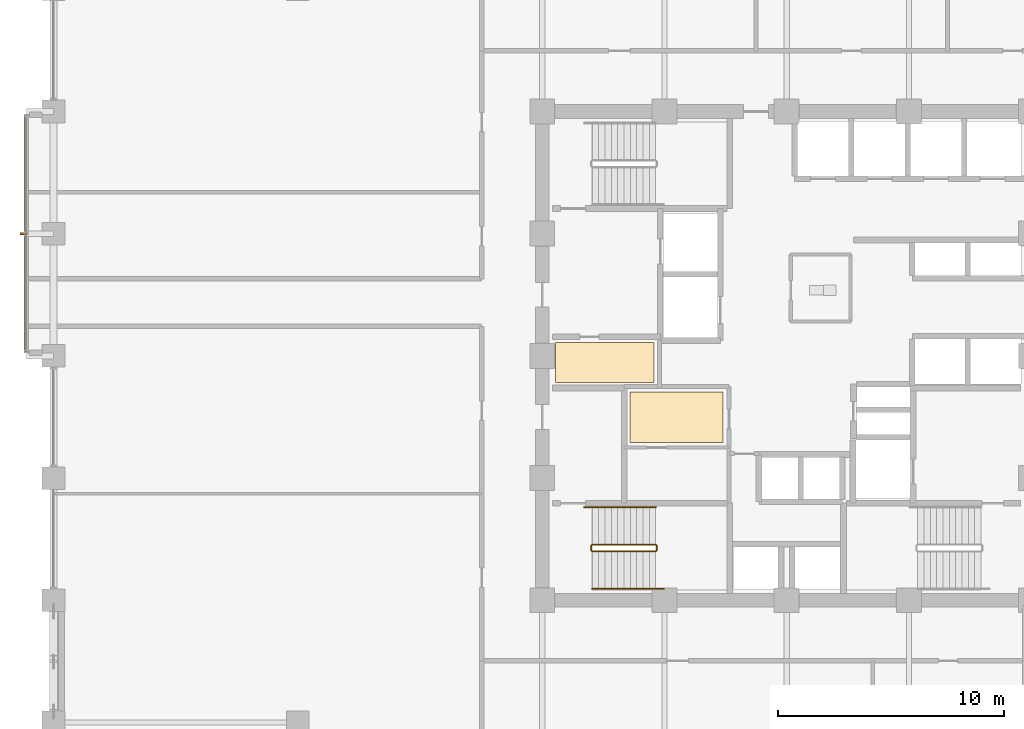
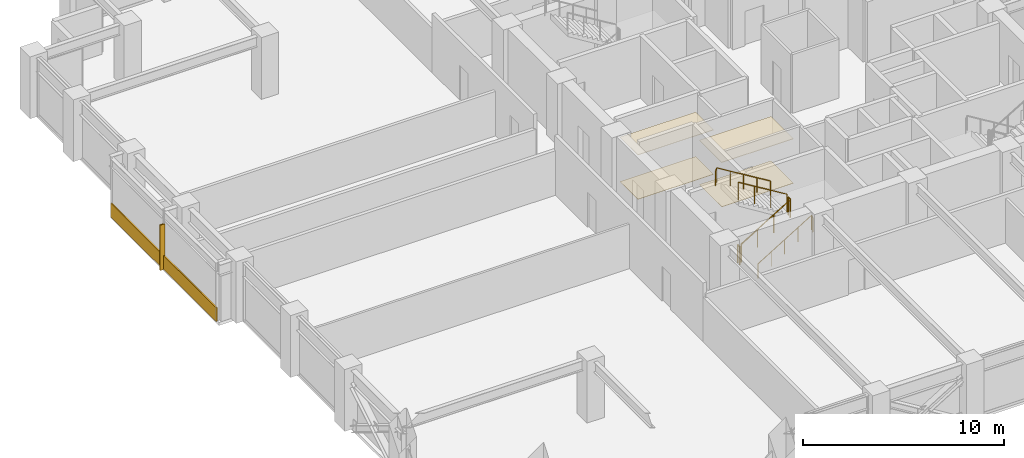
# One storey, part 23 of 26: 6 railings, 5 coverings, 1 shading device.
"""IFC4 building model written with IfcOpenShell, lengths in metres."""

from ifc_helpers import new_model, si_unit, direction, frame, origin, origin_2d, place, context, subcontext, project, spatial, polyline, rectangle, circle, outline, extrude, material, layer, layer_set, type_object, element, save


model = new_model("IFC4")

# Units and contexts
model_context = context("Model", 3, precision=1e-05, world=origin(), true_north=direction((0.0, 1.0)))
body_context = subcontext(model_context, "Body", "Model", "MODEL_VIEW")
ifc_project = project(units=[si_unit("LENGTHUNIT", "METRE"), si_unit("AREAUNIT", "SQUARE_METRE"), si_unit("VOLUMEUNIT", "CUBIC_METRE"), si_unit("PLANEANGLEUNIT", "RADIAN"), si_unit("MASSUNIT", "GRAM", prefix="KILO")], contexts=[model_context])

# Site, building, storey
site_placement = place(None, origin())
site = spatial("IfcSite", under=ifc_project, at=site_placement, CompositionType="ELEMENT")
building_placement = place(site_placement, origin())
building = spatial("IfcBuilding", under=site, at=building_placement, Name="Surkhivell Harbour Commons", CompositionType="ELEMENT")
storey_placement = place(building_placement, frame((0.0, 0.0, 143.25)))
storey = spatial("IfcBuildingStorey", under=building, at=storey_placement, Name="L37", CompositionType="ELEMENT", Elevation=143.25)

# Coverings
ifc_material_1 = material(Name="Perforated acoustic mineral-fibre ceiling tile", Category="other")
ifc_layer_1 = layer(ifc_material_1, 0.02490234375)
ifc_layer_set_1 = layer_set([ifc_layer_1], Name="Perforated acoustic mineral-fibre ceiling tile")
covering_type_1 = type_object("IfcCoveringType", Name="COV-CEIL-AC", PredefinedType="CEILING", material=ifc_layer_set_1)
covering_1_placement = place(storey_placement, frame((0.0, 0.0, 2.694091796875)))
element("IfcCovering", 1, at=covering_1_placement, inside=storey, type_object=covering_type_1, Name="L37 Suspended Acoustic Ceiling 1", PredefinedType="CEILING", context=body_context, shape_type="SweptSolid", body=[
    extrude(outline(polyline([(-10.219970703125, -1.179931640625), (-5.8701171875, -1.179931640625), (-5.8701171875, 0.60009765625), (-10.219970703125, 0.60009765625), (-10.219970703125, 0.580078125), (-10.219970703125, -0.580078125), (-10.219970703125, -1.179931640625)])), origin(), (0.0, 0.0, 1.0), 0.02490234375),
])
ifc_material_2 = material(Name="Moisture-resistant gypsum acoustic ceiling board", Category="other")
ifc_layer_2 = layer(ifc_material_2, 0.030029296875)
ifc_layer_set_2 = layer_set([ifc_layer_2], Name="Moisture-resistant gypsum acoustic ceiling board")
covering_type_2 = type_object("IfcCoveringType", Name="COV-CEIL-GYP", PredefinedType="CEILING", material=ifc_layer_set_2)
covering_2_placement = place(storey_placement, frame((0.0, 0.0, 2.68896484375)))
element("IfcCovering", 2, at=covering_2_placement, inside=storey, type_object=covering_type_2, Name="L37 Suspended Acoustic Ceiling 2", PredefinedType="CEILING", context=body_context, shape_type="SweptSolid", body=[
    extrude(outline(polyline([(-6.929931640625, -3.830078125), (-2.820068359375, -3.830078125), (-2.820068359375, -1.60009765625), (-6.929931640625, -1.60009765625), (-6.929931640625, -3.830078125)])), origin(), (0.0, 0.0, 1.0), 0.030029296875),
])
ifc_material_3 = material(Name="Cobalt-azure enamelled aluminium cassette panel", Category="aluminium")
ifc_layer_3 = layer(ifc_material_3, 0.072021484375)
ifc_layer_set_3 = layer_set([ifc_layer_3], Name="Cobalt-azure enamelled aluminium cassette panel")
covering_type_3 = type_object("IfcCoveringType", Name="COV-CLAD-COB", PredefinedType="CLADDING", material=ifc_layer_set_3)
covering_3_placement = place(storey_placement, frame((-33.639892578125, 5.39990234375, 0.0), z_axis=(0.0, 0.0, 1.0), x_axis=(1.0, 0.0, 0.0)))
element("IfcCovering", 3, at=covering_3_placement, inside=storey, type_object=covering_type_3, Name="L37 Coloured-Panel Box Spandrel Cassette 02", PredefinedType="CLADDING", context=body_context, shape_type="SweptSolid", body=[
    extrude(rectangle(XDim=0.080078125, YDim=10.5, at=origin_2d()), origin(), (0.0, 0.0, 1.0), 0.840087890625),
])
ifc_material_4 = material(Name="Engineered acoustic oak timber flooring", Category="wood")
ifc_layer_4 = layer(ifc_material_4, 0.02001953125)
ifc_layer_set_4 = layer_set([ifc_layer_4], Name="Engineered acoustic oak timber flooring")
covering_type_4 = type_object("IfcCoveringType", Name="COV-FLR-TIM", PredefinedType="FLOORING", material=ifc_layer_set_4)
covering_4_placement = place(storey_placement, origin())
element("IfcCovering", 4, at=covering_4_placement, inside=storey, type_object=covering_type_4, Name="L37 Interior Floor Finish 1", PredefinedType="FLOORING", context=body_context, shape_type="SweptSolid", body=[
    extrude(outline(polyline([(-10.219970703125, -1.179931640625), (-5.8701171875, -1.179931640625), (-5.8701171875, 0.60009765625), (-10.219970703125, 0.60009765625), (-10.219970703125, 0.580078125), (-10.219970703125, -0.580078125), (-10.219970703125, -1.179931640625)])), origin(), (0.0, 0.0, 1.0), 0.02001953125),
])
covering_5_placement = place(storey_placement, origin())
element("IfcCovering", 5, at=covering_5_placement, inside=storey, type_object=covering_type_4, Name="L37 Interior Floor Finish 2", PredefinedType="FLOORING", context=body_context, shape_type="SweptSolid", body=[
    extrude(outline(polyline([(-6.929931640625, -3.830078125), (-2.820068359375, -3.830078125), (-2.820068359375, -1.60009765625), (-6.929931640625, -1.60009765625), (-6.929931640625, -3.830078125)])), origin(), (0.0, 0.0, 1.0), 0.02001953125),
])

# Railings
ifc_material_5 = material(Name="Galvanised and painted steel S355 guard rail", Category="steel")
railing_type_1 = type_object("IfcRailingType", Name="RAL-ST-GRD1100", PredefinedType="GUARDRAIL", material=ifc_material_5)
railing_1_placement = place(storey_placement, frame((-8.590087890625, -8.639892578125, 0.17041015625)))
element("IfcRailing", 6, at=railing_1_placement, inside=storey, type_object=railing_type_1, Name="L37 ST3 stair guard 1", PredefinedType="GUARDRAIL", context=body_context, shape_type="SweptSolid", body=[
    extrude(circle(Radius=0.02392578125, at=origin_2d()), frame((0.0, 0.0, 1.076171875), z_axis=(0.854169791009, 0.0, 0.51999420009), x_axis=(0.0, 1.0, 0.0)), (0.0, 0.0, 1.0), 3.278076171875),
    extrude(circle(Radius=0.02099609375, at=origin_2d()), origin(), (0.0, 0.0, 1.0), 1.052001953125),
    extrude(circle(Radius=0.02099609375, at=origin_2d()), frame((0.933349609375, 0.0, 0.568115234375)), (0.0, 0.0, 1.0), 1.052001953125),
    extrude(circle(Radius=0.02099609375, at=origin_2d()), frame((1.86669921875, 0.0, 1.136474609375)), (0.0, 0.0, 1.0), 1.052001953125),
    extrude(circle(Radius=0.02099609375, at=origin_2d()), frame((2.800048828125, 0.0, 1.70458984375)), (0.0, 0.0, 1.0), 1.052001953125),
])
railing_2_placement = place(storey_placement, frame((-5.739990234375, -8.590087890625, 1.875)))
element("IfcRailing", 7, at=railing_2_placement, inside=storey, type_object=railing_type_1, Name="L37 ST3 stair guard 2", PredefinedType="GUARDRAIL", context=body_context, shape_type="SweptSolid", body=[
    extrude(circle(Radius=0.02392578125, at=origin_2d()), frame((0.0, 0.0, 1.076171875), z_axis=(0.0, 1.0, 0.0), x_axis=(-1.0, 0.0, 0.0)), (0.0, 0.0, 1.0), 0.2001953125),
    extrude(circle(Radius=0.02099609375, at=origin_2d()), origin(), (0.0, 0.0, 1.0), 1.052001953125),
    extrude(circle(Radius=0.02099609375, at=origin_2d()), frame((0.0, 0.2001953125, 0.0)), (0.0, 0.0, 1.0), 1.052001953125),
])
railing_3_placement = place(storey_placement, frame((-5.7900390625, -8.340087890625, 2.04541015625)))
element("IfcRailing", 8, at=railing_3_placement, inside=storey, type_object=railing_type_1, Name="L37 ST3 stair guard 3", PredefinedType="GUARDRAIL", context=body_context, shape_type="SweptSolid", body=[
    extrude(circle(Radius=0.02392578125, at=origin_2d()), frame((0.0, 0.0, 1.076171875), z_axis=(-0.854169791009, 0.0, 0.51999420009), x_axis=(0.0, -1.0, 0.0)), (0.0, 0.0, 1.0), 3.278076171875),
    extrude(circle(Radius=0.02099609375, at=origin_2d()), origin(), (0.0, 0.0, 1.0), 1.052001953125),
    extrude(circle(Radius=0.02099609375, at=origin_2d()), frame((-0.933349609375, 0.0, 0.568115234375)), (0.0, 0.0, 1.0), 1.052001953125),
    extrude(circle(Radius=0.02099609375, at=origin_2d()), frame((-1.86669921875, 0.0, 1.136474609375)), (0.0, 0.0, 1.0), 1.052001953125),
    extrude(circle(Radius=0.02099609375, at=origin_2d()), frame((-2.800048828125, 0.0, 1.70458984375)), (0.0, 0.0, 1.0), 1.052001953125),
])
railing_4_placement = place(storey_placement, frame((-8.639892578125, -8.590087890625, 0.0)))
element("IfcRailing", 9, at=railing_4_placement, inside=storey, type_object=railing_type_1, Name="L37 ST3 stair guard 4", PredefinedType="GUARDRAIL", context=body_context, shape_type="SweptSolid", body=[
    extrude(circle(Radius=0.02392578125, at=origin_2d()), frame((0.0, 0.0, 1.076171875), z_axis=(0.0, 1.0, 0.0), x_axis=(-1.0, 0.0, 0.0)), (0.0, 0.0, 1.0), 0.2001953125),
    extrude(circle(Radius=0.02099609375, at=origin_2d()), origin(), (0.0, 0.0, 1.0), 1.052001953125),
    extrude(circle(Radius=0.02099609375, at=origin_2d()), frame((0.0, 0.2001953125, 0.0)), (0.0, 0.0, 1.0), 1.052001953125),
])
ifc_material_6 = material(Name="Brushed stainless steel S355 handrail", Category="steel")
railing_type_2 = type_object("IfcRailingType", Name="RAL-ST-HND900", PredefinedType="HANDRAIL", material=ifc_material_6)
railing_5_placement = place(storey_placement, frame((-8.590087890625, -10.2900390625, 0.17041015625)))
element("IfcRailing", 10, at=railing_5_placement, inside=storey, type_object=railing_type_2, Name="L37 ST3 stair handrail 1", PredefinedType="HANDRAIL", context=body_context, shape_type="SweptSolid", body=[
    extrude(circle(Radius=0.02392578125, at=origin_2d()), frame((0.0, 0.0, 0.8759765625), z_axis=(0.854177636135, 0.0, 0.519981313056), x_axis=(0.0, 1.0, 0.0)), (0.0, 0.0, 1.0), 3.60595703125),
    extrude(circle(Radius=0.02392578125, at=origin_2d()), frame((3.080078125, 0.0, 2.7509765625), z_axis=(0.425297416671, 0.0, -0.905053648892), x_axis=(0.0, 1.0, 0.0)), (0.0, 0.0, 1.0), 0.188232421875),
    extrude(circle(Radius=0.02099609375, at=origin_2d()), origin(), (0.0, 0.0, 1.0), 0.851806640625),
    extrude(circle(Radius=0.02099609375, at=origin_2d()), frame((0.77001953125, 0.0, 0.46875)), (0.0, 0.0, 1.0), 0.851806640625),
    extrude(circle(Radius=0.02099609375, at=origin_2d()), frame((1.5400390625, 0.0, 0.9375)), (0.0, 0.0, 1.0), 0.851806640625),
    extrude(circle(Radius=0.02099609375, at=origin_2d()), frame((2.31005859375, 0.0, 1.40625)), (0.0, 0.0, 1.0), 0.851806640625),
    extrude(circle(Radius=0.02099609375, at=origin_2d()), frame((3.080078125, 0.0, 1.875)), (0.0, 0.0, 1.0), 0.851806640625),
    extrude(circle(Radius=0.02099609375, at=origin_2d()), frame((3.16015625, 0.0, 1.70458984375)), (0.0, 0.0, 1.0), 0.851806640625),
])
railing_6_placement = place(storey_placement, frame((-5.7900390625, -6.68994140625, 2.04541015625)))
element("IfcRailing", 11, at=railing_6_placement, inside=storey, type_object=railing_type_2, Name="L37 ST3 stair handrail 2", PredefinedType="HANDRAIL", context=body_context, shape_type="SweptSolid", body=[
    extrude(circle(Radius=0.02392578125, at=origin_2d()), frame((0.0, 0.0, 0.8759765625), z_axis=(-0.854177636135, 0.0, 0.519981313056), x_axis=(0.0, -1.0, 0.0)), (0.0, 0.0, 1.0), 3.60595703125),
    extrude(circle(Radius=0.02392578125, at=origin_2d()), frame((-3.080078125, 0.0, 2.7509765625), z_axis=(-0.424234432967, 0.0, -0.905552398199), x_axis=(0.0, -1.0, 0.0)), (0.0, 0.0, 1.0), 0.188232421875),
    extrude(circle(Radius=0.02099609375, at=origin_2d()), origin(), (0.0, 0.0, 1.0), 0.851806640625),
    extrude(circle(Radius=0.02099609375, at=origin_2d()), frame((-0.77001953125, 0.0, 0.46875)), (0.0, 0.0, 1.0), 0.851806640625),
    extrude(circle(Radius=0.02099609375, at=origin_2d()), frame((-1.5400390625, 0.0, 0.9375)), (0.0, 0.0, 1.0), 0.851806640625),
    extrude(circle(Radius=0.02099609375, at=origin_2d()), frame((-2.31005859375, 0.0, 1.40625)), (0.0, 0.0, 1.0), 0.851806640625),
    extrude(circle(Radius=0.02099609375, at=origin_2d()), frame((-3.080078125, 0.0, 1.875)), (0.0, 0.0, 1.0), 0.851806640625),
    extrude(circle(Radius=0.02099609375, at=origin_2d()), frame((-3.159912109375, 0.0, 1.70458984375)), (0.0, 0.0, 1.0), 0.851806640625),
])

# Shading device
ifc_material_7 = material(Name="Champagne anodised aluminium solar fin", Category="aluminium")
shading_device_type = type_object("IfcShadingDeviceType", Name="SHD-FIN-SLIM", PredefinedType="USERDEFINED", material=ifc_material_7)
shading_device_placement = place(storey_placement, frame((-33.739990234375, 5.39990234375, 0.0048828125), z_axis=(0.0, 0.0, 1.0), x_axis=(1.0, 0.0, 0.0)))
element("IfcShadingDevice", 12, at=shading_device_placement, inside=storey, type_object=shading_device_type, Name="L37 Coloured-Box Solar Fin 02", ObjectType="FIN", PredefinedType="USERDEFINED", context=body_context, shape_type="SweptSolid", body=[
    extrude(rectangle(XDim=0.280029296875, YDim=0.080078125, at=origin_2d()), origin(), (0.0, 0.0, 1.0), 2.75),
])

save(model, "model.ifc")
